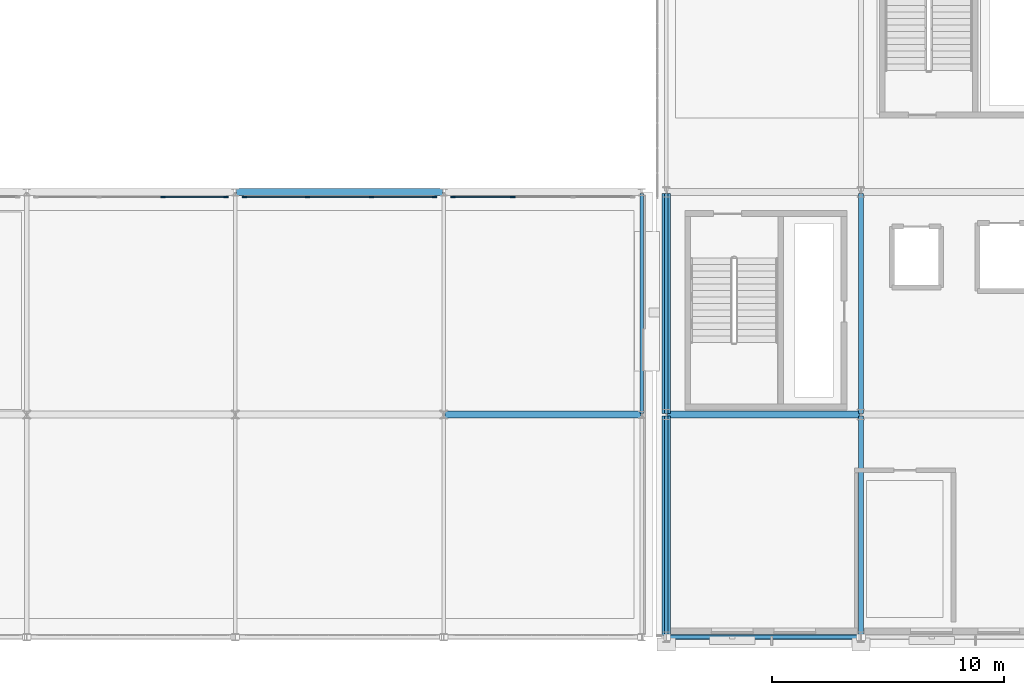
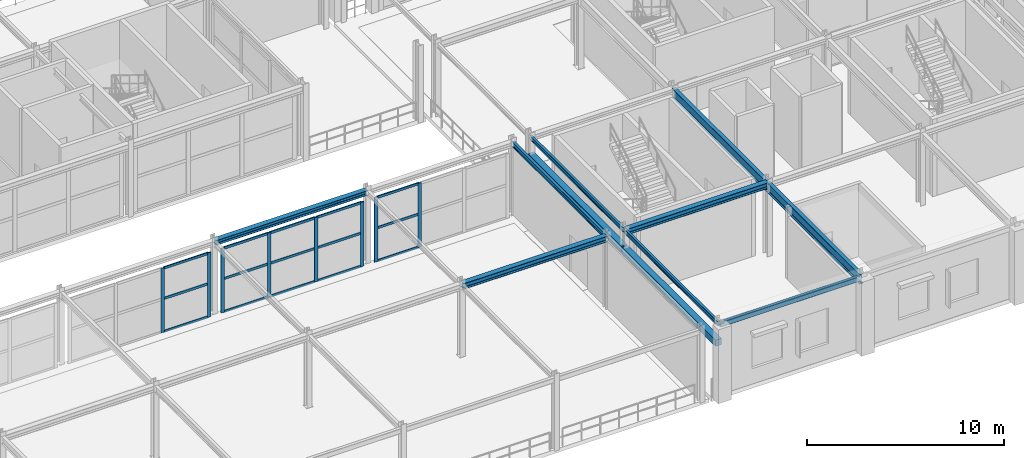
# One storey, part 34 of 125: 23 members, 11 beams, 3 elements without a shape of their own.
"""IFC4 building model written with IfcOpenShell, lengths in metres."""

from ifc_helpers import new_model, si_unit, direction, frame, origin, origin_2d, place, context, subcontext, project, spatial, rectangle, hollow_rectangle, i_section, extrude, material, layer, layer_set, material_profile, profile_set, type_object, element, aggregate, save


model = new_model("IFC4")

# Units and contexts
model_context = context("Model", 3, precision=1e-05, world=origin(), true_north=direction((0.0, 1.0)))
body_context = subcontext(model_context, "Body", "Model", "MODEL_VIEW")
ifc_project = project(units=[si_unit("LENGTHUNIT", "METRE"), si_unit("AREAUNIT", "SQUARE_METRE"), si_unit("VOLUMEUNIT", "CUBIC_METRE"), si_unit("PLANEANGLEUNIT", "RADIAN"), si_unit("MASSUNIT", "GRAM", prefix="KILO")], contexts=[model_context])

# Site, building, storey
site_placement = place(None, origin())
site = spatial("IfcSite", under=ifc_project, at=site_placement, CompositionType="ELEMENT")
building_placement = place(site_placement, origin())
building = spatial("IfcBuilding", under=site, at=building_placement, Name="Myrtia Square Station", CompositionType="ELEMENT")
storey_placement = place(building_placement, frame((0.0, 0.0, 6.0)))
storey = spatial("IfcBuildingStorey", under=building, at=storey_placement, Name="L01", CompositionType="ELEMENT", Elevation=6.0)

# Beams
ifc_material_1 = material(Name="Steel S355", Category="steel")
ifc_material_profile_1 = material_profile(ifc_material_1, i_section(OverallWidth=0.300048828125, OverallDepth=0.300048828125, WebThickness=0.010986328125, FlangeThickness=0.01904296875, FilletRadius=0.027099609375, at=origin_2d()), Name="HEB 300")
ifc_profile_set_1 = profile_set([ifc_material_profile_1], Name="Steel S355")
beam_type_1 = type_object("IfcBeamType", Name="BM-HEB300", PredefinedType="BEAM", material=ifc_profile_set_1)
beam_1_placement = place(storey_placement, frame((99.050048828125, 19.199951171875, 4.385009765625), z_axis=(1.0, 0.0, 0.0), x_axis=(0.0, 1.0, 0.0)))
element("IfcBeam", 1, at=beam_1_placement, inside=storey, type_object=beam_type_1, Name="Structural girder BMX-L01-0589", PredefinedType="BEAM", context=body_context, shape_type="SweptSolid", body=[
    extrude(i_section(OverallWidth=0.300048828125, OverallDepth=0.300048828125, WebThickness=0.010986328125, FlangeThickness=0.01904296875, FilletRadius=0.027099609375, at=origin_2d()), origin(), (0.0, 0.0, 1.0), 8.89990234375),
])
ifc_material_profile_2 = material_profile(ifc_material_1, i_section(OverallWidth=0.300048828125, OverallDepth=0.360107421875, WebThickness=0.012451171875, FlangeThickness=0.0224609375, FilletRadius=0.027099609375, at=origin_2d()), Name="HEB 360")
ifc_profile_set_2 = profile_set([ifc_material_profile_2], Name="Steel S355")
beam_type_2 = type_object("IfcBeamType", Name="BM-HEB360", PredefinedType="BEAM", material=ifc_profile_set_2)
beam_2_placement = place(storey_placement, frame((108.050048828125, 9.60009765625, 4.35498046875), z_axis=(1.0, 0.0, 0.0), x_axis=(0.0, 1.0, 0.0)))
element("IfcBeam", 2, at=beam_2_placement, inside=storey, type_object=beam_type_2, Name="Structural girder BMX-L01-0578", PredefinedType="BEAM", context=body_context, shape_type="SweptSolid", body=[
    extrude(i_section(OverallWidth=0.300048828125, OverallDepth=0.360107421875, WebThickness=0.012451171875, FlangeThickness=0.0224609375, FilletRadius=0.027099609375, at=origin_2d()), origin(), (0.0, 0.0, 1.0), 8.449951171875),
])
beam_3_placement = place(storey_placement, frame((117.64990234375, 9.60009765625, 4.3701171875), z_axis=(1.0, 0.0, 0.0), x_axis=(0.0, 1.0, 0.0)))
element("IfcBeam", 3, at=beam_3_placement, inside=storey, type_object=beam_type_2, Name="Structural girder BMX-L01-0579", PredefinedType="BEAM", context=body_context, shape_type="SweptSolid", body=[
    extrude(i_section(OverallWidth=0.300048828125, OverallDepth=0.360107421875, WebThickness=0.012451171875, FlangeThickness=0.0224609375, FilletRadius=0.027099609375, at=origin_2d()), origin(), (0.0, 0.0, 1.0), 8.300048828125),
])
ifc_material_profile_3 = material_profile(ifc_material_1, i_section(OverallWidth=0.135009765625, OverallDepth=0.27001953125, WebThickness=0.006591796875, FlangeThickness=0.01025390625, FilletRadius=0.014892578125, at=origin_2d()), Name="IPE 270")
ifc_profile_set_3 = profile_set([ifc_material_profile_3], Name="Steel S355")
beam_type_3 = type_object("IfcBeamType", Name="BM-IPE270", PredefinedType="BEAM", material=ifc_profile_set_3)
for number, where, z_axis, x_axis, name in (
    (4, (117.60009765625, 0.050048828125, 4.4150390625), (0.0, 1.0, 0.0), (-1.0, 0.0, 0.0), "Structural girder BMY-L01-0612"),
    (5, (117.60009765625, 9.64990234375, 4.4150390625), (0.0, 1.0, 0.0), (-1.0, 0.0, 0.0), "Structural girder BMY-L01-0613"),
):
    element("IfcBeam", number, at=place(storey_placement, frame(where, z_axis=z_axis, x_axis=x_axis)), inside=storey, type_object=beam_type_3, Name=name, PredefinedType="BEAM", context=body_context, shape_type="SweptSolid", body=[
        extrude(i_section(OverallWidth=0.135009765625, OverallDepth=0.27001953125, WebThickness=0.006591796875, FlangeThickness=0.01025390625, FilletRadius=0.014892578125, at=origin_2d()), origin(), (0.0, 0.0, 1.0), 9.5),
    ])
ifc_material_profile_4 = material_profile(ifc_material_1, i_section(OverallWidth=0.14990234375, OverallDepth=0.300048828125, WebThickness=0.007080078125, FlangeThickness=0.0107421875, FilletRadius=0.014892578125, at=origin_2d()), Name="IPE 300")
ifc_profile_set_4 = profile_set([ifc_material_profile_4], Name="Steel S355")
beam_type_4 = type_object("IfcBeamType", Name="BM-IPE300", PredefinedType="BEAM", material=ifc_profile_set_4)
beam_4_placement = place(storey_placement, frame((116.550048828125, 9.64990234375, 4.385009765625), z_axis=(0.0, 1.0, 0.0), x_axis=(-1.0, 0.0, 0.0)))
element("IfcBeam", 6, at=beam_4_placement, inside=storey, type_object=beam_type_4, Name="Structural girder BMY-L01-0611", PredefinedType="BEAM", context=body_context, shape_type="SweptSolid", body=[
    extrude(i_section(OverallWidth=0.14990234375, OverallDepth=0.300048828125, WebThickness=0.007080078125, FlangeThickness=0.0107421875, FilletRadius=0.014892578125, at=origin_2d()), origin(), (0.0, 0.0, 1.0), 9.5),
])
ifc_material_profile_5 = material_profile(ifc_material_1, i_section(OverallWidth=0.219970703125, OverallDepth=0.60009765625, WebThickness=0.011962890625, FlangeThickness=0.01904296875, FilletRadius=0.02392578125, at=origin_2d()), Name="IPE 600")
ifc_profile_set_5 = profile_set([ifc_material_profile_5], Name="Steel S355")
beam_type_5 = type_object("IfcBeamType", Name="BM-IPE600", PredefinedType="BEAM", material=ifc_profile_set_5)
for number, where, z_axis, x_axis, name in (
    (7, (126.0, 0.050048828125, 4.25), (0.0, 1.0, 0.0), (-1.0, 0.0, 0.0), "Structural girder BMY-L01-0616"),
    (8, (126.0, 9.64990234375, 4.25), (0.0, 1.0, 0.0), (-1.0, 0.0, 0.0), "Structural girder BMY-L01-0617"),
):
    element("IfcBeam", number, at=place(storey_placement, frame(where, z_axis=z_axis, x_axis=x_axis)), inside=storey, type_object=beam_type_5, Name=name, PredefinedType="BEAM", context=body_context, shape_type="SweptSolid", body=[
        extrude(i_section(OverallWidth=0.219970703125, OverallDepth=0.60009765625, WebThickness=0.011962890625, FlangeThickness=0.01904296875, FilletRadius=0.02392578125, at=origin_2d()), origin(), (0.0, 0.0, 1.0), 9.5),
    ])

# Curtain wall, members
ifc_material_2 = material(Name="Dark bronze anodised aluminium", Category="aluminium")
ifc_layer_1 = layer(ifc_material_2, 0.159912109375, Name="Dark bronze anodised aluminium")
ifc_layer_set_1 = layer_set([ifc_layer_1], Name="Dark bronze anodised aluminium")
curtain_wall_type_1 = type_object("IfcCurtainWallType", Name="CW-TYPE-32-826x400", PredefinedType="USERDEFINED", material=ifc_layer_set_1)
curtain_wall_1_placement = place(storey_placement, origin())
curtain_wall_1 = element("IfcCurtainWall", 9, at=curtain_wall_1_placement, inside=storey, type_object=curtain_wall_type_1, Name="Concourse curtain wall CW-L01-107", ObjectType="CONCOURSE CURTAIN WALL", PredefinedType="USERDEFINED")
ifc_material_profile_6 = material_profile(ifc_material_2, rectangle(XDim=0.06494140625, YDim=0.199951171875, at=origin_2d()), Name="ALU-M 65x200")
ifc_profile_set_6 = profile_set([ifc_material_profile_6], Name="Dark bronze anodised aluminium")
member_type_1 = type_object("IfcMemberType", Name="CWM-65x200", PredefinedType="MULLION", material=ifc_profile_set_6)
member_1_placement = place(storey_placement, frame((95.876708984375, 19.0, 0.0), z_axis=(0.0, 0.0, 1.0), x_axis=(0.0, 1.0, 0.0)))
member_1 = element("IfcMember", 10, at=member_1_placement, type_object=member_type_1, Name="CW-107 mullion 3", PredefinedType="MULLION", context=body_context, shape_type="SweptSolid", body=[
    extrude(rectangle(XDim=0.06494140625, YDim=0.199951171875, at=origin_2d()), origin(), (0.0, 0.0, 1.0), 4.0),
])
member_2_placement = place(storey_placement, frame((98.597412109375, 19.0, 0.0), z_axis=(0.0, 0.0, 1.0), x_axis=(0.0, 1.0, 0.0)))
member_2 = element("IfcMember", 11, at=member_2_placement, type_object=member_type_1, Name="CW-107 mullion 4", PredefinedType="MULLION", context=body_context, shape_type="SweptSolid", body=[
    extrude(rectangle(XDim=0.06494140625, YDim=0.199951171875, at=origin_2d()), origin(), (0.0, 0.0, 1.0), 4.0),
])

curtain_wall_2_placement = place(storey_placement, origin())
curtain_wall_2 = element("IfcCurtainWall", 12, at=curtain_wall_2_placement, inside=storey, type_object=curtain_wall_type_1, Name="Concourse curtain wall CW-L01-110", ObjectType="CONCOURSE CURTAIN WALL", PredefinedType="USERDEFINED")
member_3_placement = place(storey_placement, frame((99.402587890625, 19.0, 0.0), z_axis=(0.0, 0.0, 1.0), x_axis=(0.0, 1.0, 0.0)))
member_3 = element("IfcMember", 13, at=member_3_placement, type_object=member_type_1, Name="CW-110 mullion 1", PredefinedType="MULLION", context=body_context, shape_type="SweptSolid", body=[
    extrude(rectangle(XDim=0.06494140625, YDim=0.199951171875, at=origin_2d()), origin(), (0.0, 0.0, 1.0), 4.0),
])
member_4_placement = place(storey_placement, frame((102.123291015625, 19.0, 0.0), z_axis=(0.0, 0.0, 1.0), x_axis=(0.0, 1.0, 0.0)))
member_4 = element("IfcMember", 14, at=member_4_placement, type_object=member_type_1, Name="CW-110 mullion 2", PredefinedType="MULLION", context=body_context, shape_type="SweptSolid", body=[
    extrude(rectangle(XDim=0.06494140625, YDim=0.199951171875, at=origin_2d()), origin(), (0.0, 0.0, 1.0), 4.0),
])
member_5_placement = place(storey_placement, frame((104.876708984375, 19.0, 0.0), z_axis=(0.0, 0.0, 1.0), x_axis=(0.0, 1.0, 0.0)))
member_5 = element("IfcMember", 15, at=member_5_placement, type_object=member_type_1, Name="CW-110 mullion 3", PredefinedType="MULLION", context=body_context, shape_type="SweptSolid", body=[
    extrude(rectangle(XDim=0.06494140625, YDim=0.199951171875, at=origin_2d()), origin(), (0.0, 0.0, 1.0), 4.0),
])
member_6_placement = place(storey_placement, frame((107.597412109375, 19.0, 0.0), z_axis=(0.0, 0.0, 1.0), x_axis=(0.0, 1.0, 0.0)))
member_6 = element("IfcMember", 16, at=member_6_placement, type_object=member_type_1, Name="CW-110 mullion 4", PredefinedType="MULLION", context=body_context, shape_type="SweptSolid", body=[
    extrude(rectangle(XDim=0.06494140625, YDim=0.199951171875, at=origin_2d()), origin(), (0.0, 0.0, 1.0), 4.0),
])

ifc_layer_2 = layer(ifc_material_2, 0.159912109375, Name="Dark bronze anodised aluminium")
ifc_layer_set_2 = layer_set([ifc_layer_2], Name="Dark bronze anodised aluminium")
curtain_wall_type_2 = type_object("IfcCurtainWallType", Name="CW-TYPE-34-781x400", PredefinedType="USERDEFINED", material=ifc_layer_set_2)
curtain_wall_3_placement = place(storey_placement, origin())
curtain_wall_3 = element("IfcCurtainWall", 17, at=curtain_wall_3_placement, inside=storey, type_object=curtain_wall_type_2, Name="Concourse curtain wall CW-L01-112", ObjectType="CONCOURSE CURTAIN WALL", PredefinedType="USERDEFINED")
member_7_placement = place(storey_placement, frame((108.402587890625, 19.0, 0.0), z_axis=(0.0, 0.0, 1.0), x_axis=(0.0, 1.0, 0.0)))
member_7 = element("IfcMember", 18, at=member_7_placement, type_object=member_type_1, Name="CW-112 mullion 1", PredefinedType="MULLION", context=body_context, shape_type="SweptSolid", body=[
    extrude(rectangle(XDim=0.06494140625, YDim=0.199951171875, at=origin_2d()), origin(), (0.0, 0.0, 1.0), 4.0),
])
member_8_placement = place(storey_placement, frame((110.973388671875, 19.0, 0.0), z_axis=(0.0, 0.0, 1.0), x_axis=(0.0, 1.0, 0.0)))
member_8 = element("IfcMember", 19, at=member_8_placement, type_object=member_type_1, Name="CW-112 mullion 2", PredefinedType="MULLION", context=body_context, shape_type="SweptSolid", body=[
    extrude(rectangle(XDim=0.06494140625, YDim=0.199951171875, at=origin_2d()), origin(), (0.0, 0.0, 1.0), 4.0),
])

# Member
ifc_material_profile_7 = material_profile(ifc_material_2, rectangle(XDim=0.06494140625, YDim=0.14990234375, at=origin_2d()), Name="ALU-T 65x150")
ifc_profile_set_7 = profile_set([ifc_material_profile_7], Name="Dark bronze anodised aluminium")
member_type_2 = type_object("IfcMemberType", Name="CWT-65x150", PredefinedType="USERDEFINED", material=ifc_profile_set_7)
member_9_placement = place(storey_placement, frame((95.9091796875, 19.0, 0.032470703125), z_axis=(1.0, 0.0, 0.0), x_axis=(0.0, 1.0, 0.0)))
member_9 = element("IfcMember", 20, at=member_9_placement, type_object=member_type_2, Name="CW-107 transom 3.1", ObjectType="TRANSOM", PredefinedType="USERDEFINED", context=body_context, shape_type="SweptSolid", body=[
    extrude(rectangle(XDim=0.06494140625, YDim=0.14990234375, at=origin_2d()), origin(), (0.0, 0.0, 1.0), 2.65576171875),
])

member_10_placement = place(storey_placement, frame((95.9091796875, 19.0, 2.080078125), z_axis=(1.0, 0.0, 0.0), x_axis=(0.0, 1.0, 0.0)))
member_10 = element("IfcMember", 21, at=member_10_placement, type_object=member_type_2, Name="CW-107 transom 3.2", ObjectType="TRANSOM", PredefinedType="USERDEFINED", context=body_context, shape_type="SweptSolid", body=[
    extrude(rectangle(XDim=0.06494140625, YDim=0.14990234375, at=origin_2d()), origin(), (0.0, 0.0, 1.0), 2.65576171875),
])

member_11_placement = place(storey_placement, frame((95.9091796875, 19.0, 3.967529296875), z_axis=(1.0, 0.0, 0.0), x_axis=(0.0, 1.0, 0.0)))
member_11 = element("IfcMember", 22, at=member_11_placement, type_object=member_type_2, Name="CW-107 transom 3.3", ObjectType="TRANSOM", PredefinedType="USERDEFINED", context=body_context, shape_type="SweptSolid", body=[
    extrude(rectangle(XDim=0.06494140625, YDim=0.14990234375, at=origin_2d()), origin(), (0.0, 0.0, 1.0), 2.65576171875),
])

aggregate(curtain_wall_1, [member_1, member_2, member_9, member_10, member_11])

member_12_placement = place(storey_placement, frame((99.43505859375, 19.0, 0.032470703125), z_axis=(1.0, 0.0, 0.0), x_axis=(0.0, 1.0, 0.0)))
member_12 = element("IfcMember", 23, at=member_12_placement, type_object=member_type_2, Name="CW-110 transom 1.1", ObjectType="TRANSOM", PredefinedType="USERDEFINED", context=body_context, shape_type="SweptSolid", body=[
    extrude(rectangle(XDim=0.06494140625, YDim=0.14990234375, at=origin_2d()), origin(), (0.0, 0.0, 1.0), 2.65576171875),
])

member_13_placement = place(storey_placement, frame((99.43505859375, 19.0, 2.080078125), z_axis=(1.0, 0.0, 0.0), x_axis=(0.0, 1.0, 0.0)))
member_13 = element("IfcMember", 24, at=member_13_placement, type_object=member_type_2, Name="CW-110 transom 1.2", ObjectType="TRANSOM", PredefinedType="USERDEFINED", context=body_context, shape_type="SweptSolid", body=[
    extrude(rectangle(XDim=0.06494140625, YDim=0.14990234375, at=origin_2d()), origin(), (0.0, 0.0, 1.0), 2.65576171875),
])

member_14_placement = place(storey_placement, frame((99.43505859375, 19.0, 3.967529296875), z_axis=(1.0, 0.0, 0.0), x_axis=(0.0, 1.0, 0.0)))
member_14 = element("IfcMember", 25, at=member_14_placement, type_object=member_type_2, Name="CW-110 transom 1.3", ObjectType="TRANSOM", PredefinedType="USERDEFINED", context=body_context, shape_type="SweptSolid", body=[
    extrude(rectangle(XDim=0.06494140625, YDim=0.14990234375, at=origin_2d()), origin(), (0.0, 0.0, 1.0), 2.65576171875),
])

member_15_placement = place(storey_placement, frame((102.15576171875, 19.0, 0.032470703125), z_axis=(1.0, 0.0, 0.0), x_axis=(0.0, 1.0, 0.0)))
member_15 = element("IfcMember", 26, at=member_15_placement, type_object=member_type_2, Name="CW-110 transom 2.1", ObjectType="TRANSOM", PredefinedType="USERDEFINED", context=body_context, shape_type="SweptSolid", body=[
    extrude(rectangle(XDim=0.06494140625, YDim=0.14990234375, at=origin_2d()), origin(), (0.0, 0.0, 1.0), 2.6884765625),
])

member_16_placement = place(storey_placement, frame((102.15576171875, 19.0, 2.080078125), z_axis=(1.0, 0.0, 0.0), x_axis=(0.0, 1.0, 0.0)))
member_16 = element("IfcMember", 27, at=member_16_placement, type_object=member_type_2, Name="CW-110 transom 2.2", ObjectType="TRANSOM", PredefinedType="USERDEFINED", context=body_context, shape_type="SweptSolid", body=[
    extrude(rectangle(XDim=0.06494140625, YDim=0.14990234375, at=origin_2d()), origin(), (0.0, 0.0, 1.0), 2.6884765625),
])

member_17_placement = place(storey_placement, frame((102.15576171875, 19.0, 3.967529296875), z_axis=(1.0, 0.0, 0.0), x_axis=(0.0, 1.0, 0.0)))
member_17 = element("IfcMember", 28, at=member_17_placement, type_object=member_type_2, Name="CW-110 transom 2.3", ObjectType="TRANSOM", PredefinedType="USERDEFINED", context=body_context, shape_type="SweptSolid", body=[
    extrude(rectangle(XDim=0.06494140625, YDim=0.14990234375, at=origin_2d()), origin(), (0.0, 0.0, 1.0), 2.6884765625),
])

member_18_placement = place(storey_placement, frame((104.9091796875, 19.0, 0.032470703125), z_axis=(1.0, 0.0, 0.0), x_axis=(0.0, 1.0, 0.0)))
member_18 = element("IfcMember", 29, at=member_18_placement, type_object=member_type_2, Name="CW-110 transom 3.1", ObjectType="TRANSOM", PredefinedType="USERDEFINED", context=body_context, shape_type="SweptSolid", body=[
    extrude(rectangle(XDim=0.06494140625, YDim=0.14990234375, at=origin_2d()), origin(), (0.0, 0.0, 1.0), 2.65576171875),
])

member_19_placement = place(storey_placement, frame((104.9091796875, 19.0, 2.080078125), z_axis=(1.0, 0.0, 0.0), x_axis=(0.0, 1.0, 0.0)))
member_19 = element("IfcMember", 30, at=member_19_placement, type_object=member_type_2, Name="CW-110 transom 3.2", ObjectType="TRANSOM", PredefinedType="USERDEFINED", context=body_context, shape_type="SweptSolid", body=[
    extrude(rectangle(XDim=0.06494140625, YDim=0.14990234375, at=origin_2d()), origin(), (0.0, 0.0, 1.0), 2.65576171875),
])

member_20_placement = place(storey_placement, frame((104.9091796875, 19.0, 3.967529296875), z_axis=(1.0, 0.0, 0.0), x_axis=(0.0, 1.0, 0.0)))
member_20 = element("IfcMember", 31, at=member_20_placement, type_object=member_type_2, Name="CW-110 transom 3.3", ObjectType="TRANSOM", PredefinedType="USERDEFINED", context=body_context, shape_type="SweptSolid", body=[
    extrude(rectangle(XDim=0.06494140625, YDim=0.14990234375, at=origin_2d()), origin(), (0.0, 0.0, 1.0), 2.65576171875),
])

aggregate(curtain_wall_2, [member_3, member_4, member_5, member_6, member_12, member_13, member_14, member_15, member_16, member_17, member_18, member_19, member_20])

member_21_placement = place(storey_placement, frame((108.43505859375, 19.0, 0.032470703125), z_axis=(1.0, 0.0, 0.0), x_axis=(0.0, 1.0, 0.0)))
member_21 = element("IfcMember", 32, at=member_21_placement, type_object=member_type_2, Name="CW-112 transom 1.1", ObjectType="TRANSOM", PredefinedType="USERDEFINED", context=body_context, shape_type="SweptSolid", body=[
    extrude(rectangle(XDim=0.06494140625, YDim=0.14990234375, at=origin_2d()), origin(), (0.0, 0.0, 1.0), 2.505859375),
])

member_22_placement = place(storey_placement, frame((108.43505859375, 19.0, 2.080078125), z_axis=(1.0, 0.0, 0.0), x_axis=(0.0, 1.0, 0.0)))
member_22 = element("IfcMember", 33, at=member_22_placement, type_object=member_type_2, Name="CW-112 transom 1.2", ObjectType="TRANSOM", PredefinedType="USERDEFINED", context=body_context, shape_type="SweptSolid", body=[
    extrude(rectangle(XDim=0.06494140625, YDim=0.14990234375, at=origin_2d()), origin(), (0.0, 0.0, 1.0), 2.505859375),
])

member_23_placement = place(storey_placement, frame((108.43505859375, 19.0, 3.967529296875), z_axis=(1.0, 0.0, 0.0), x_axis=(0.0, 1.0, 0.0)))
member_23 = element("IfcMember", 34, at=member_23_placement, type_object=member_type_2, Name="CW-112 transom 1.3", ObjectType="TRANSOM", PredefinedType="USERDEFINED", context=body_context, shape_type="SweptSolid", body=[
    extrude(rectangle(XDim=0.06494140625, YDim=0.14990234375, at=origin_2d()), origin(), (0.0, 0.0, 1.0), 2.505859375),
])

aggregate(curtain_wall_3, [member_7, member_8, member_21, member_22, member_23])

# Beams
ifc_material_3 = material(Name="Concrete C35/45", Category="concrete")
ifc_material_profile_8 = material_profile(ifc_material_3, rectangle(XDim=0.35009765625, YDim=0.39990234375, at=origin_2d()), Name="LNT 350x400")
ifc_profile_set_8 = profile_set([ifc_material_profile_8], Name="Concrete C35/45")
beam_type_6 = type_object("IfcBeamType", Name="LNT-RC350x400", PredefinedType="LINTEL", material=ifc_profile_set_8)
for number, where, z_axis, x_axis, name in (
    (35, (117.60009765625, 0.050048828125, 3.25), (0.0, 1.0, 0.0), (-1.0, 0.0, 0.0), "Reinforced concrete opening lintel L01-05"),
    (36, (117.60009765625, 9.64990234375, 3.25), (0.0, 1.0, 0.0), (-1.0, 0.0, 0.0), "Reinforced concrete opening lintel L01-06"),
):
    element("IfcBeam", number, at=place(storey_placement, frame(where, z_axis=z_axis, x_axis=x_axis)), inside=storey, type_object=beam_type_6, Name=name, PredefinedType="LINTEL", context=body_context, shape_type="SweptSolid", body=[
        extrude(rectangle(XDim=0.35009765625, YDim=0.39990234375, at=origin_2d()), origin(), (0.0, 0.0, 1.0), 9.5),
    ])
ifc_material_profile_9 = material_profile(ifc_material_1, hollow_rectangle(XDim=0.199951171875, YDim=0.300048828125, WallThickness=0.01611328125, InnerFilletRadius=0.01611328125, OuterFilletRadius=0.031982421875, at=origin_2d()), Name="RHS 300x200x16")
ifc_profile_set_9 = profile_set([ifc_material_profile_9], Name="Steel S355")
beam_type_7 = type_object("IfcBeamType", Name="SPN-RHS300", PredefinedType="SPANDREL", material=ifc_profile_set_9)
beam_5_placement = place(storey_placement, frame((117.64990234375, 0.0, 4.39990234375), z_axis=(1.0, 0.0, 0.0), x_axis=(0.0, 1.0, 0.0)))
element("IfcBeam", 37, at=beam_5_placement, inside=storey, type_object=beam_type_7, Name="Structural girder SPN-L01-0156", PredefinedType="SPANDREL", context=body_context, shape_type="SweptSolid", body=[
    extrude(hollow_rectangle(XDim=0.199951171875, YDim=0.300048828125, WallThickness=0.01611328125, InnerFilletRadius=0.01611328125, OuterFilletRadius=0.031982421875, at=origin_2d()), origin(), (0.0, 0.0, 1.0), 8.300048828125),
])

save(model, "model.ifc")
